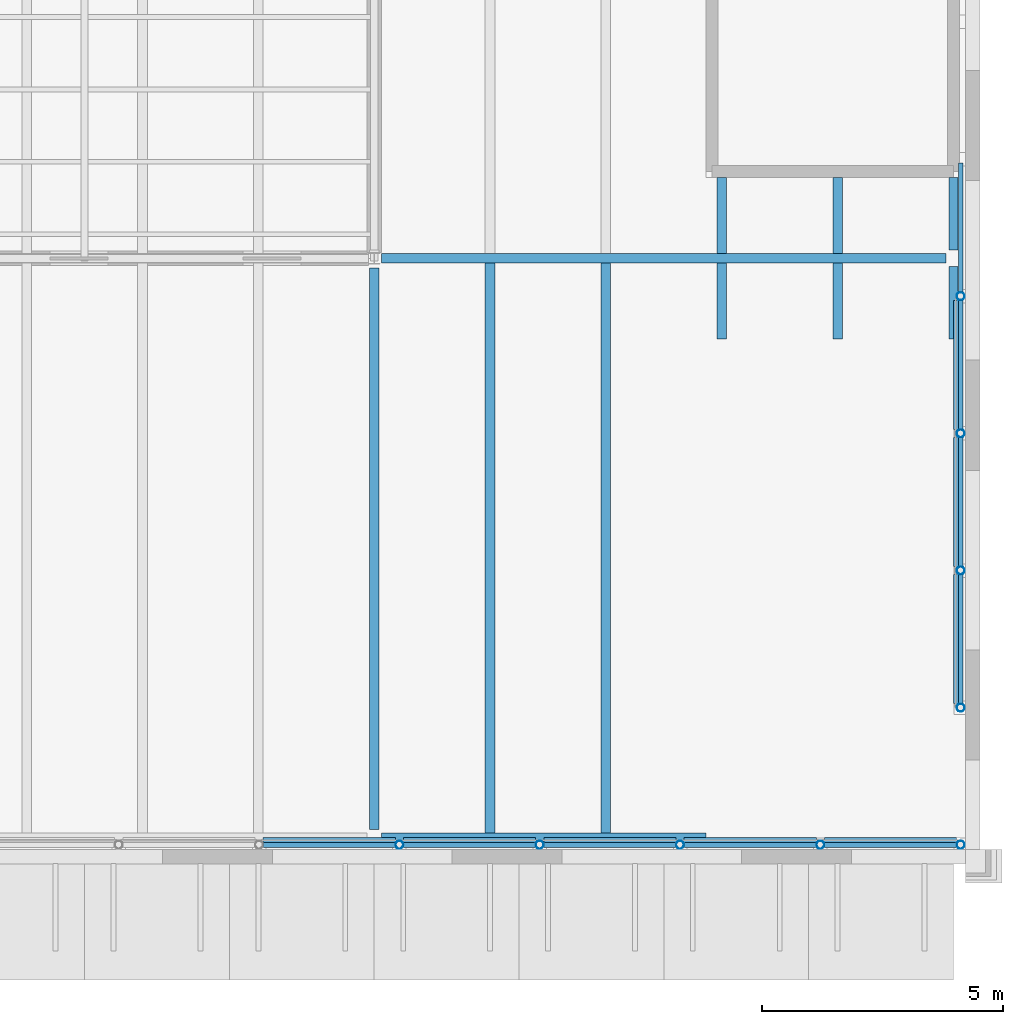
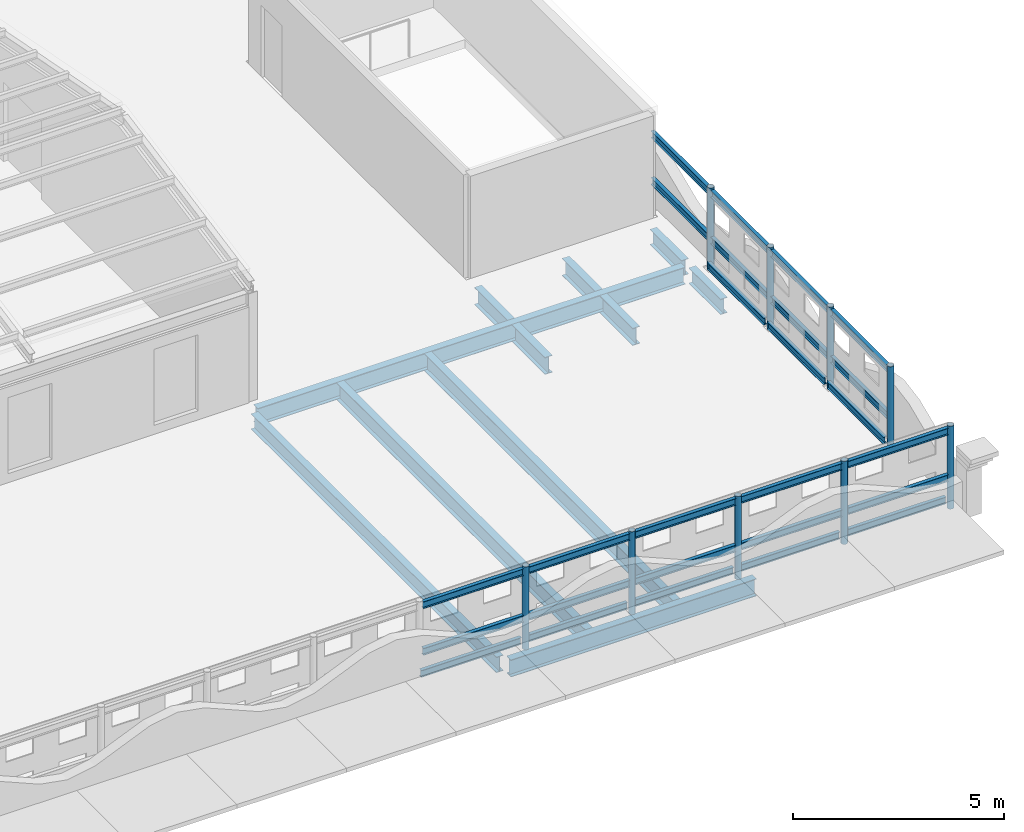
# One storey, part 45 of 91: 35 members, 11 beams.
"""IFC4 building model written with IfcOpenShell, lengths in metres."""

from ifc_helpers import new_model, si_unit, direction, frame, origin, origin_2d, place, context, subcontext, project, spatial, hollow_circle, i_section, extrude, material, material_profile, profile_set, type_object, element, save


model = new_model("IFC4")

# Units and contexts
model_context = context("Model", 3, precision=1e-05, world=origin(), true_north=direction((0.0, 1.0)))
body_context = subcontext(model_context, "Body", "Model", "MODEL_VIEW")
ifc_project = project(units=[si_unit("LENGTHUNIT", "METRE"), si_unit("AREAUNIT", "SQUARE_METRE"), si_unit("VOLUMEUNIT", "CUBIC_METRE"), si_unit("PLANEANGLEUNIT", "RADIAN"), si_unit("MASSUNIT", "GRAM", prefix="KILO")], contexts=[model_context])

# Site, building, storey
site_placement = place(None, origin())
site = spatial("IfcSite", under=ifc_project, at=site_placement, CompositionType="ELEMENT")
building_placement = place(site_placement, origin())
building = spatial("IfcBuilding", under=site, at=building_placement, Name="Ravi Spectrum Wholesale Market", CompositionType="ELEMENT")
storey_placement = place(building_placement, frame((0.0, 0.0, 16.199951171875)))
storey = spatial("IfcBuildingStorey", under=building, at=storey_placement, Name="ROOF PLANT LEVEL", CompositionType="ELEMENT", Elevation=16.199951171875)

# Members
ifc_material_1 = material(Name="Steel S355", Category="steel")
ifc_material_profile_1 = material_profile(ifc_material_1, hollow_circle(Radius=0.084228515625, WallThickness=0.00634765625, at=origin_2d()))
ifc_profile_set_1 = profile_set([ifc_material_profile_1], Name="Steel S355")
member_type_1 = type_object("IfcMemberType", Name="CHS 168.3x6.3 post", PredefinedType="POST", material=ifc_profile_set_1)
for number, where, z_axis, x_axis, name in (
    (1, (270.5224609375, 17.85009765625, 0.0), (0.0, 0.0, 1.0), (1.0, 0.0, 0.0), "CS-MB-ROOF-026"),
    (2, (273.42919921875, 17.85009765625, 0.0), (0.0, 0.0, 1.0), (1.0, 0.0, 0.0), "CS-MB-ROOF-027"),
    (3, (276.336181640625, 17.85009765625, 0.0), (0.0, 0.0, 1.0), (1.0, 0.0, 0.0), "CS-MB-ROOF-028"),
    (4, (279.2431640625, 17.85009765625, 0.0), (0.0, 0.0, 1.0), (1.0, 0.0, 0.0), "CS-MB-ROOF-029"),
    (5, (282.14990234375, 17.85009765625, 0.0), (0.0, 0.0, 1.0), (1.0, 0.0, 0.0), "CS-MB-ROOF-030"),
    (6, (282.14990234375, 20.691162109375, 0.0), (0.0, 0.0, 1.0), (1.0, 0.0, 0.0), "CS-MB-ROOF-031"),
    (7, (282.14990234375, 23.532470703125, 0.0), (0.0, 0.0, 1.0), (1.0, 0.0, 0.0), "CS-MB-ROOF-032"),
    (8, (282.14990234375, 26.37353515625, 0.0), (0.0, 0.0, 1.0), (1.0, 0.0, 0.0), "CS-MB-ROOF-033"),
    (9, (282.14990234375, 29.214599609375, 0.0), (0.0, 0.0, 1.0), (1.0, 0.0, 0.0), "CS-MB-ROOF-034"),
):
    element("IfcMember", number, at=place(storey_placement, frame(where, z_axis=z_axis, x_axis=x_axis)), inside=storey, type_object=member_type_1, Name=name, PredefinedType="POST", context=body_context, shape_type="SweptSolid", body=[
        extrude(hollow_circle(Radius=0.084228515625, WallThickness=0.00634765625, at=origin_2d()), origin(), (0.0, 0.0, 1.0), 2.400146484375),
    ])
ifc_material_2 = material(Name="Steel S355", Category="steel")
ifc_material_profile_2 = material_profile(ifc_material_2, i_section(OverallWidth=0.10009765625, OverallDepth=0.199951171875, WebThickness=0.005615234375, FlangeThickness=0.008544921875, at=origin_2d()))
ifc_profile_set_2 = profile_set([ifc_material_profile_2], Name="Steel S355")
member_type_2 = type_object("IfcMemberType", Name="IPE 200 purlin", PredefinedType="PURLIN", material=ifc_profile_set_2)
for number, where, z_axis, x_axis, name in (
    (10, (267.69970703125, 17.85009765625, 0.900146484375), (1.0, 0.0, 0.0), (0.0, 1.0, 0.0), "CS-MB-ROOF-165"),
    (11, (267.69970703125, 17.85009765625, 2.25), (1.0, 0.0, 0.0), (0.0, 1.0, 0.0), "CS-MB-ROOF-166"),
    (12, (267.69970703125, 17.94921875, 0.199951171875), (1.0, 0.0, 0.0), (0.0, 1.0, 0.0), "CS-MB-ROOF-167"),
):
    element("IfcMember", number, at=place(storey_placement, frame(where, z_axis=z_axis, x_axis=x_axis)), inside=storey, type_object=member_type_2, Name=name, PredefinedType="PURLIN", context=body_context, shape_type="SweptSolid", body=[
        extrude(i_section(OverallWidth=0.10009765625, OverallDepth=0.199951171875, WebThickness=0.005615234375, FlangeThickness=0.008544921875, at=origin_2d()), origin(), (0.0, 0.0, 1.0), 2.738525390625),
    ])
for number, where, z_axis, x_axis, name in (
    (13, (270.6064453125, 17.85009765625, 0.900146484375), (1.0, 0.0, 0.0), (0.0, 1.0, 0.0), "CS-MB-ROOF-168"),
    (14, (270.6064453125, 17.85009765625, 2.25), (1.0, 0.0, 0.0), (0.0, 1.0, 0.0), "CS-MB-ROOF-169"),
    (15, (270.6064453125, 17.94921875, 0.199951171875), (1.0, 0.0, 0.0), (0.0, 1.0, 0.0), "CS-MB-ROOF-170"),
):
    element("IfcMember", number, at=place(storey_placement, frame(where, z_axis=z_axis, x_axis=x_axis)), inside=storey, type_object=member_type_2, Name=name, PredefinedType="PURLIN", context=body_context, shape_type="SweptSolid", body=[
        extrude(i_section(OverallWidth=0.10009765625, OverallDepth=0.199951171875, WebThickness=0.005615234375, FlangeThickness=0.008544921875, at=origin_2d()), origin(), (0.0, 0.0, 1.0), 2.73876953125),
    ])
for number, where, z_axis, x_axis, name in (
    (16, (273.513427734375, 17.85009765625, 0.900146484375), (1.0, 0.0, 0.0), (0.0, 1.0, 0.0), "CS-MB-ROOF-171"),
    (17, (273.513427734375, 17.85009765625, 2.25), (1.0, 0.0, 0.0), (0.0, 1.0, 0.0), "CS-MB-ROOF-172"),
    (18, (273.513427734375, 17.94921875, 0.199951171875), (1.0, 0.0, 0.0), (0.0, 1.0, 0.0), "CS-MB-ROOF-173"),
    (19, (276.42041015625, 17.85009765625, 0.900146484375), (1.0, 0.0, 0.0), (0.0, 1.0, 0.0), "CS-MB-ROOF-174"),
    (20, (276.42041015625, 17.85009765625, 2.25), (1.0, 0.0, 0.0), (0.0, 1.0, 0.0), "CS-MB-ROOF-175"),
    (21, (276.42041015625, 17.94921875, 0.199951171875), (1.0, 0.0, 0.0), (0.0, 1.0, 0.0), "CS-MB-ROOF-176"),
):
    element("IfcMember", number, at=place(storey_placement, frame(where, z_axis=z_axis, x_axis=x_axis)), inside=storey, type_object=member_type_2, Name=name, PredefinedType="PURLIN", context=body_context, shape_type="SweptSolid", body=[
        extrude(i_section(OverallWidth=0.10009765625, OverallDepth=0.199951171875, WebThickness=0.005615234375, FlangeThickness=0.008544921875, at=origin_2d()), origin(), (0.0, 0.0, 1.0), 2.738525390625),
    ])
for number, where, z_axis, x_axis, name in (
    (22, (279.3271484375, 17.85009765625, 0.900146484375), (1.0, 0.0, 0.0), (0.0, 1.0, 0.0), "CS-MB-ROOF-177"),
    (23, (279.3271484375, 17.85009765625, 2.25), (1.0, 0.0, 0.0), (0.0, 1.0, 0.0), "CS-MB-ROOF-178"),
    (24, (279.3271484375, 17.94921875, 0.199951171875), (1.0, 0.0, 0.0), (0.0, 1.0, 0.0), "CS-MB-ROOF-179"),
):
    element("IfcMember", number, at=place(storey_placement, frame(where, z_axis=z_axis, x_axis=x_axis)), inside=storey, type_object=member_type_2, Name=name, PredefinedType="PURLIN", context=body_context, shape_type="SweptSolid", body=[
        extrude(i_section(OverallWidth=0.10009765625, OverallDepth=0.199951171875, WebThickness=0.005615234375, FlangeThickness=0.008544921875, at=origin_2d()), origin(), (0.0, 0.0, 1.0), 2.73876953125),
    ])
for number, where, z_axis, x_axis, name in (
    (25, (282.14990234375, 20.775390625, 0.900146484375), (0.0, 1.0, 0.0), (-1.0, 0.0, 0.0), "CS-MB-ROOF-180"),
    (26, (282.14990234375, 20.775390625, 2.25), (0.0, 1.0, 0.0), (-1.0, 0.0, 0.0), "CS-MB-ROOF-181"),
    (27, (282.05078125, 20.775390625, 0.199951171875), (0.0, 1.0, 0.0), (-1.0, 0.0, 0.0), "CS-MB-ROOF-182"),
    (28, (282.14990234375, 23.616455078125, 0.900146484375), (0.0, 1.0, 0.0), (-1.0, 0.0, 0.0), "CS-MB-ROOF-183"),
    (29, (282.14990234375, 23.616455078125, 2.25), (0.0, 1.0, 0.0), (-1.0, 0.0, 0.0), "CS-MB-ROOF-184"),
    (30, (282.05078125, 23.616455078125, 0.199951171875), (0.0, 1.0, 0.0), (-1.0, 0.0, 0.0), "CS-MB-ROOF-185"),
    (31, (282.14990234375, 26.457763671875, 0.900146484375), (0.0, 1.0, 0.0), (-1.0, 0.0, 0.0), "CS-MB-ROOF-186"),
    (32, (282.14990234375, 26.457763671875, 2.25), (0.0, 1.0, 0.0), (-1.0, 0.0, 0.0), "CS-MB-ROOF-187"),
    (33, (282.05078125, 26.457763671875, 0.199951171875), (0.0, 1.0, 0.0), (-1.0, 0.0, 0.0), "CS-MB-ROOF-188"),
    (34, (282.14990234375, 29.298828125, 0.900146484375), (0.0, 1.0, 0.0), (-1.0, 0.0, 0.0), "CS-MB-ROOF-189"),
    (35, (282.14990234375, 29.298828125, 2.25), (0.0, 1.0, 0.0), (-1.0, 0.0, 0.0), "CS-MB-ROOF-190"),
):
    element("IfcMember", number, at=place(storey_placement, frame(where, z_axis=z_axis, x_axis=x_axis)), inside=storey, type_object=member_type_2, Name=name, PredefinedType="PURLIN", context=body_context, shape_type="SweptSolid", body=[
        extrude(i_section(OverallWidth=0.10009765625, OverallDepth=0.199951171875, WebThickness=0.005615234375, FlangeThickness=0.008544921875, at=origin_2d()), origin(), (0.0, 0.0, 1.0), 2.6728515625),
    ])

# Beams
ifc_material_3 = material(Name="Steel S355", Category="steel")
ifc_material_profile_3 = material_profile(ifc_material_3, i_section(OverallWidth=0.18994140625, OverallDepth=0.449951171875, WebThickness=0.009521484375, FlangeThickness=0.0146484375, at=origin_2d()))
ifc_profile_set_3 = profile_set([ifc_material_profile_3], Name="Steel S355")
beam_type_1 = type_object("IfcBeamType", Name="IPE 450 girder", PredefinedType="BEAM", material=ifc_profile_set_3)
beam_1_placement = place(storey_placement, frame((270.0, 18.169921875, -0.474853515625), z_axis=(0.0, 1.0, 0.0), x_axis=(-1.0, 0.0, 0.0)))
element("IfcBeam", 36, at=beam_1_placement, inside=storey, type_object=beam_type_1, Name="CS-BM-ROOF-059", PredefinedType="BEAM", context=body_context, shape_type="SweptSolid", body=[
    extrude(i_section(OverallWidth=0.18994140625, OverallDepth=0.449951171875, WebThickness=0.009521484375, FlangeThickness=0.0146484375, at=origin_2d()), origin(), (0.0, 0.0, 1.0), 11.630126953125),
])
for number, where, z_axis, x_axis, name in (
    (37, (282.0, 28.324951171875, -0.474853515625), (0.0, 1.0, 0.0), (-1.0, 0.0, 0.0), "CS-BM-ROOF-064"),
    (38, (282.0, 30.169921875, -0.474853515625), (0.0, 1.0, 0.0), (-1.0, 0.0, 0.0), "CS-BM-ROOF-065"),
):
    element("IfcBeam", number, at=place(storey_placement, frame(where, z_axis=z_axis, x_axis=x_axis)), inside=storey, type_object=beam_type_1, Name=name, PredefinedType="BEAM", context=body_context, shape_type="SweptSolid", body=[
        extrude(i_section(OverallWidth=0.18994140625, OverallDepth=0.449951171875, WebThickness=0.009521484375, FlangeThickness=0.0146484375, at=origin_2d()), origin(), (0.0, 0.0, 1.0), 1.505126953125),
    ])
ifc_material_4 = material(Name="Steel S355", Category="steel")
ifc_material_profile_4 = material_profile(ifc_material_4, i_section(OverallWidth=0.199951171875, OverallDepth=0.5, WebThickness=0.01025390625, FlangeThickness=0.01611328125, at=origin_2d()))
ifc_profile_set_4 = profile_set([ifc_material_profile_4], Name="Steel S355")
beam_type_2 = type_object("IfcBeamType", Name="IPE 500 beam", PredefinedType="BEAM", material=ifc_profile_set_4)
beam_2_placement = place(storey_placement, frame((270.14990234375, 18.0, -0.5), z_axis=(1.0, 0.0, 0.0), x_axis=(0.0, 1.0, 0.0)))
element("IfcBeam", 39, at=beam_2_placement, inside=storey, type_object=beam_type_2, Name="CS-BM-ROOF-007", PredefinedType="BEAM", context=body_context, shape_type="SweptSolid", body=[
    extrude(i_section(OverallWidth=0.199951171875, OverallDepth=0.5, WebThickness=0.01025390625, FlangeThickness=0.01611328125, at=origin_2d()), origin(), (0.0, 0.0, 1.0), 6.72509765625),
])
beam_3_placement = place(storey_placement, frame((270.14990234375, 30.0, -0.5), z_axis=(1.0, 0.0, 0.0), x_axis=(0.0, 1.0, 0.0)))
element("IfcBeam", 40, at=beam_3_placement, inside=storey, type_object=beam_type_2, Name="CS-BM-ROOF-014", PredefinedType="BEAM", context=body_context, shape_type="SweptSolid", body=[
    extrude(i_section(OverallWidth=0.199951171875, OverallDepth=0.5, WebThickness=0.01025390625, FlangeThickness=0.01611328125, at=origin_2d()), origin(), (0.0, 0.0, 1.0), 11.7001953125),
])
for number, where, z_axis, x_axis, name in (
    (41, (272.39990234375, 18.10009765625, -0.5), (0.0, 1.0, 0.0), (-1.0, 0.0, 0.0), "CS-BM-ROOF-162"),
    (42, (274.800048828125, 18.10009765625, -0.5), (0.0, 1.0, 0.0), (-1.0, 0.0, 0.0), "CS-BM-ROOF-163"),
):
    element("IfcBeam", number, at=place(storey_placement, frame(where, z_axis=z_axis, x_axis=x_axis)), inside=storey, type_object=beam_type_2, Name=name, PredefinedType="BEAM", context=body_context, shape_type="SweptSolid", body=[
        extrude(i_section(OverallWidth=0.199951171875, OverallDepth=0.5, WebThickness=0.01025390625, FlangeThickness=0.01611328125, at=origin_2d()), origin(), (0.0, 0.0, 1.0), 11.7998046875),
    ])
for number, where, z_axis, x_axis, name in (
    (43, (277.199951171875, 28.324951171875, -0.5), (0.0, 1.0, 0.0), (-1.0, 0.0, 0.0), "CS-BM-ROOF-164"),
    (44, (279.60009765625, 28.324951171875, -0.5), (0.0, 1.0, 0.0), (-1.0, 0.0, 0.0), "CS-BM-ROOF-165"),
    (45, (277.199951171875, 30.10009765625, -0.5), (0.0, 1.0, 0.0), (-1.0, 0.0, 0.0), "CS-BM-ROOF-168"),
    (46, (279.60009765625, 30.10009765625, -0.5), (0.0, 1.0, 0.0), (-1.0, 0.0, 0.0), "CS-BM-ROOF-169"),
):
    element("IfcBeam", number, at=place(storey_placement, frame(where, z_axis=z_axis, x_axis=x_axis)), inside=storey, type_object=beam_type_2, Name=name, PredefinedType="BEAM", context=body_context, shape_type="SweptSolid", body=[
        extrude(i_section(OverallWidth=0.199951171875, OverallDepth=0.5, WebThickness=0.01025390625, FlangeThickness=0.01611328125, at=origin_2d()), origin(), (0.0, 0.0, 1.0), 1.574951171875),
    ])

save(model, "model.ifc")
